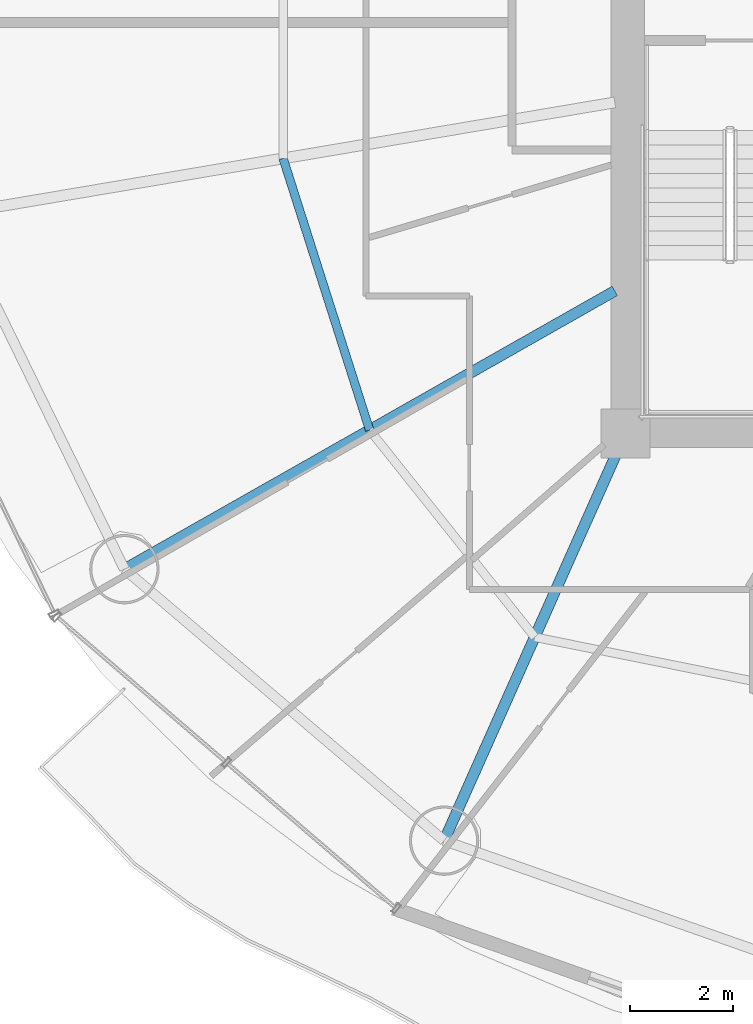
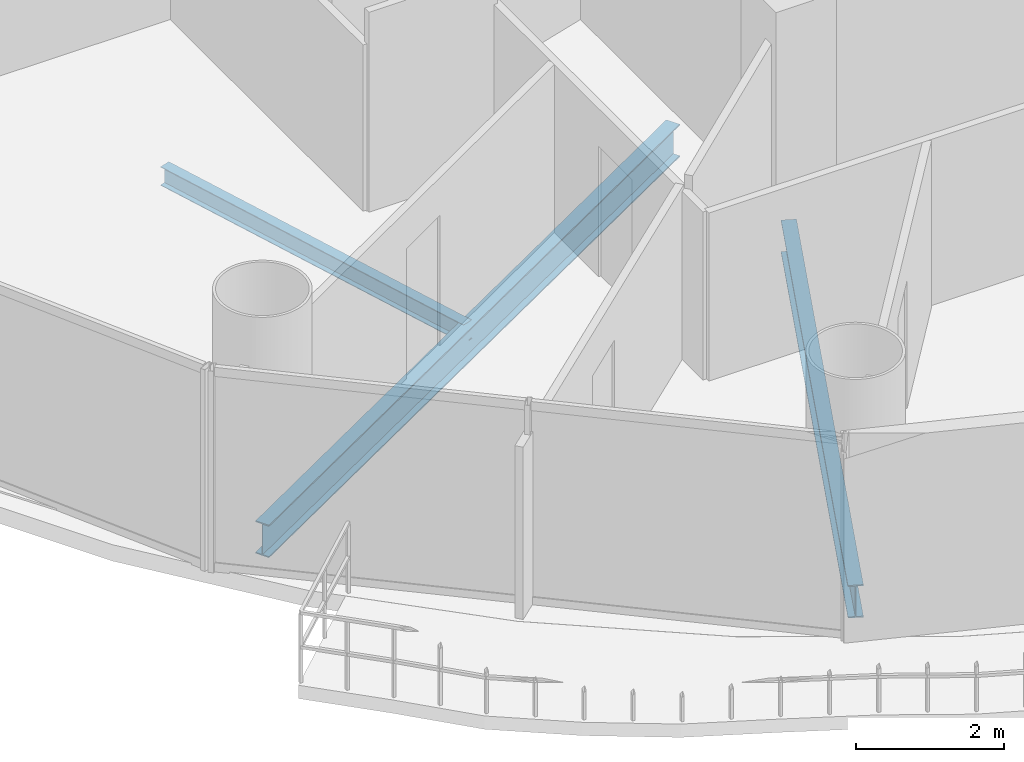
# One storey, part 4 of 27: 3 beams.
"""IFC4 building model written with IfcOpenShell, lengths in metres."""

from ifc_helpers import new_model, si_unit, direction, frame, origin, origin_2d, place, context, subcontext, project, spatial, i_section, extrude, material, material_profile, profile_set, type_object, element, save


model = new_model("IFC4")

# Units and contexts
model_context = context("Model", 3, precision=1e-05, world=origin(), true_north=direction((-0.2419218956, 0.970295726276)))
body_context = subcontext(model_context, "Body", "Model", "MODEL_VIEW")
ifc_project = project(units=[si_unit("LENGTHUNIT", "METRE"), si_unit("AREAUNIT", "SQUARE_METRE"), si_unit("VOLUMEUNIT", "CUBIC_METRE"), si_unit("PLANEANGLEUNIT", "RADIAN"), si_unit("MASSUNIT", "GRAM", prefix="KILO")], contexts=[model_context])

# Site, building, storey
site_placement = place(None, origin())
site = spatial("IfcSite", under=ifc_project, at=site_placement, CompositionType="ELEMENT")
building_placement = place(site_placement, origin())
building = spatial("IfcBuilding", under=site, at=building_placement, Name="Cobrevalo Terracotta Tower", CompositionType="ELEMENT")
storey_placement = place(building_placement, frame((0.0, 0.0, 157.0)))
storey = spatial("IfcBuildingStorey", under=building, at=storey_placement, Name="L41", CompositionType="ELEMENT", Elevation=157.0)

# Beams
ifc_material = material(Name="Steel S355", Category="steel")
ifc_material_profile_1 = material_profile(ifc_material, i_section(OverallWidth=0.2109375, OverallDepth=0.5390625, WebThickness=0.01171875, FlangeThickness=0.018798828125, at=origin_2d()), Name="W 530x109")
ifc_profile_set_1 = profile_set([ifc_material_profile_1], Name="Steel S355")
beam_type_1 = type_object("IfcBeamType", Name="Structural Beam W 530x109 (Steel S355)", PredefinedType="BEAM", material=ifc_profile_set_1)
beam_1_placement = place(storey_placement, frame((19.250244140625, 16.160888671875, -0.53955078125), z_axis=(0.869743726706, 0.493503647257, 0.0), x_axis=(-0.493503647257, 0.869743726706, 0.0)))
element("IfcBeam", 1, at=beam_1_placement, inside=storey, type_object=beam_type_1, Name="L41 radial floor girder 10", PredefinedType="BEAM", context=body_context, shape_type="SweptSolid", body=[
    extrude(i_section(OverallWidth=0.2109375, OverallDepth=0.5390625, WebThickness=0.01171875, FlangeThickness=0.018798828125, at=origin_2d()), origin(), (0.0, 0.0, 1.0), 10.97412109375),
])
beam_2_placement = place(storey_placement, frame((25.471923828125, 10.87744140625, -0.53955078125), z_axis=(0.406804395691, 0.913515289224, 0.0), x_axis=(-0.913515289224, 0.406804395691, 0.0)))
element("IfcBeam", 2, at=beam_2_placement, inside=storey, type_object=beam_type_1, Name="L41 radial floor girder 11", PredefinedType="BEAM", context=body_context, shape_type="SweptSolid", body=[
    extrude(i_section(OverallWidth=0.2109375, OverallDepth=0.5390625, WebThickness=0.01171875, FlangeThickness=0.018798828125, at=origin_2d()), origin(), (0.0, 0.0, 1.0), 8.672607421875),
])
ifc_material_profile_2 = material_profile(ifc_material, i_section(OverallWidth=0.1650390625, OverallDepth=0.31005859375, WebThickness=0.005859375, FlangeThickness=0.009765625, at=origin_2d()), Name="W 310x38.7")
ifc_profile_set_2 = profile_set([ifc_material_profile_2], Name="Steel S355")
beam_type_2 = type_object("IfcBeamType", Name="Structural Joist W 310x38.7 (Steel S355)", PredefinedType="JOIST", material=ifc_profile_set_2)
beam_3_placement = place(storey_placement, frame((22.339111328125, 24.154541015625, -0.425048828125), z_axis=(0.303497928386, -0.952832098255, 0.0), x_axis=(0.952832098255, 0.303497928386, 0.0)))
element("IfcBeam", 3, at=beam_3_placement, inside=storey, type_object=beam_type_2, Name="L41 circumferential secondary floor joist 09", PredefinedType="JOIST", context=body_context, shape_type="SweptSolid", body=[
    extrude(i_section(OverallWidth=0.1650390625, OverallDepth=0.31005859375, WebThickness=0.005859375, FlangeThickness=0.009765625, at=origin_2d()), origin(), (0.0, 0.0, 1.0), 5.54736328125),
])

save(model, "model.ifc")
